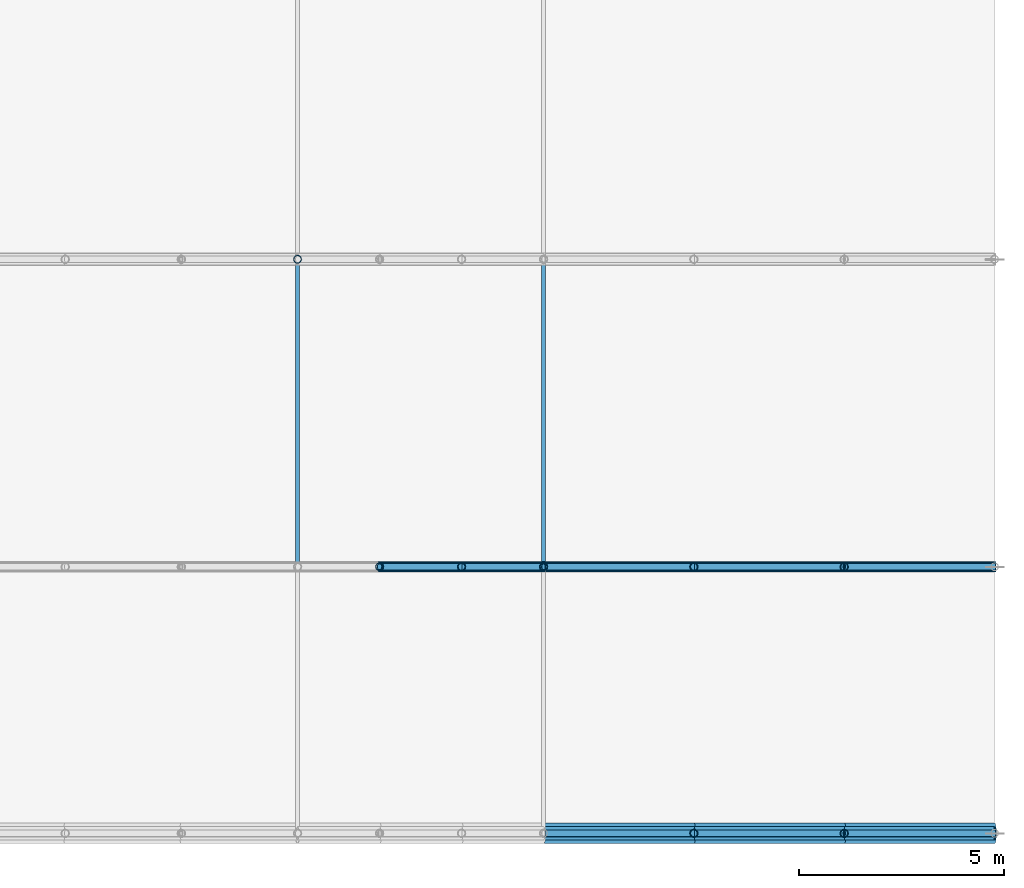
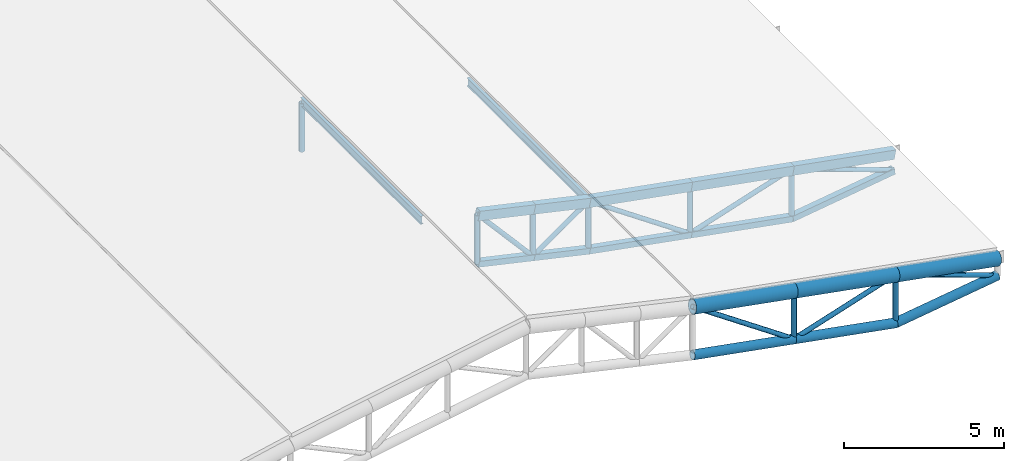
# One storey, part 4 of 28: 26 members, 8 beams.
"""IFC4 building model written with IfcOpenShell, lengths in metres."""

from ifc_helpers import new_model, si_unit, direction, frame, origin, origin_2d, place, context, subcontext, project, spatial, hollow_rectangle, hollow_circle, i_section, extrude, material, material_profile, profile_set, type_object, element, save


model = new_model("IFC4")

# Units and contexts
model_context = context("Model", 3, precision=1e-05, world=origin(), true_north=direction((0.0, 1.0)))
body_context = subcontext(model_context, "Body", "Model", "MODEL_VIEW")
ifc_project = project(units=[si_unit("LENGTHUNIT", "METRE"), si_unit("AREAUNIT", "SQUARE_METRE"), si_unit("VOLUMEUNIT", "CUBIC_METRE"), si_unit("PLANEANGLEUNIT", "RADIAN"), si_unit("MASSUNIT", "GRAM", prefix="KILO"), si_unit("THERMODYNAMICTEMPERATUREUNIT", "KELVIN"), si_unit("POWERUNIT", "WATT")], contexts=[model_context])

# Site, building, storey
site_placement = place(None, origin())
site = spatial("IfcSite", under=ifc_project, at=site_placement, CompositionType="ELEMENT")
building_placement = place(site_placement, origin())
building = spatial("IfcBuilding", under=site, at=building_placement, Name="Tepalcoro Natatorium and Aquatics Centre", CompositionType="ELEMENT")
storey_placement = place(building_placement, frame((0.0, 0.0, 23.199951171875)))
storey = spatial("IfcBuildingStorey", under=building, at=storey_placement, Name="RF", CompositionType="ELEMENT", Elevation=23.199951171875)

# Beams
ifc_material_1 = material(Name="Terracotta Painted Hollow Steel ASTM A500 Grade C (Fy 345 MPa)", Category="masonry")
ifc_material_profile_1 = material_profile(ifc_material_1, hollow_circle(Radius=0.25390625, WallThickness=0.02001953125, at=origin_2d()), Name="CHS508X20")
ifc_profile_set_1 = profile_set([ifc_material_profile_1], Name="Terracotta Painted Hollow Steel ASTM A500 Grade C (Fy 345 MPa)")
beam_type_1 = type_object("IfcBeamType", Name="AC_CHS508x20", PredefinedType="USERDEFINED", material=ifc_profile_set_1)
beam_1_placement = place(storey_placement, frame((165.0, 6.5, -1.70703125), z_axis=(0.983716546565, 0.0, -0.179726892854), x_axis=(0.0, 1.0, 0.0)))
element("IfcBeam", 1, at=beam_1_placement, inside=storey, type_object=beam_type_1, Name="V2 Barrel-Arch Top Chord 1", ObjectType="ARCH CHORD", PredefinedType="USERDEFINED", context=body_context, shape_type="SweptSolid", body=[
    extrude(hollow_circle(Radius=0.25390625, WallThickness=0.02001953125, at=origin_2d()), origin(), (0.0, 0.0, 1.0), 3.7275390625),
])
beam_2_placement = place(storey_placement, frame((168.666748046875, 6.5, -2.376953125), z_axis=(0.983714430655, 0.0, -0.179738473679), x_axis=(0.0, 1.0, 0.0)))
element("IfcBeam", 2, at=beam_2_placement, inside=storey, type_object=beam_type_1, Name="V2 Barrel-Arch Top Chord 1", ObjectType="ARCH CHORD", PredefinedType="USERDEFINED", context=body_context, shape_type="SweptSolid", body=[
    extrude(hollow_circle(Radius=0.25390625, WallThickness=0.02001953125, at=origin_2d()), origin(), (0.0, 0.0, 1.0), 3.727294921875),
])
beam_3_placement = place(storey_placement, frame((172.333251953125, 6.5, -3.046875), z_axis=(0.983704964567, 0.0, -0.179790274169), x_axis=(0.0, 1.0, 0.0)))
element("IfcBeam", 3, at=beam_3_placement, inside=storey, type_object=beam_type_1, Name="V2 Barrel-Arch Top Chord 1", ObjectType="ARCH CHORD", PredefinedType="USERDEFINED", context=body_context, shape_type="SweptSolid", body=[
    extrude(hollow_circle(Radius=0.25390625, WallThickness=0.02001953125, at=origin_2d()), origin(), (0.0, 0.0, 1.0), 3.7275390625),
])
ifc_material_profile_2 = material_profile(ifc_material_1, hollow_rectangle(XDim=0.25, YDim=0.35009765625, WallThickness=0.01611328125, at=origin_2d()), Name="HSS350X250X16")
ifc_profile_set_2 = profile_set([ifc_material_profile_2], Name="Terracotta Painted Hollow Steel ASTM A500 Grade C (Fy 345 MPa)")
beam_type_2 = type_object("IfcBeamType", Name="AC_HSS350x250x16", PredefinedType="USERDEFINED", material=ifc_profile_set_2)
for number, where, z_axis, x_axis, name in (
    (4, (161.0, 13.0, -0.72802734375), (0.97561485681, 0.0, -0.21948952406), (0.0, 1.0, 0.0), "V2 Barrel-Arch Top Chord 2"),
    (5, (163.0, 13.0, -1.177978515625), (0.97561485681, 0.0, -0.21948952406), (0.0, 1.0, 0.0), "V2 Barrel-Arch Top Chord 2"),
):
    element("IfcBeam", number, at=place(storey_placement, frame(where, z_axis=z_axis, x_axis=x_axis)), inside=storey, type_object=beam_type_2, Name=name, ObjectType="ARCH CHORD", PredefinedType="USERDEFINED", context=body_context, shape_type="SweptSolid", body=[
        extrude(hollow_rectangle(XDim=0.25, YDim=0.35009765625, WallThickness=0.01611328125, at=origin_2d()), origin(), (0.0, 0.0, 1.0), 2.050048828125),
    ])
beam_4_placement = place(storey_placement, frame((165.0, 13.0, -1.6279296875), z_axis=(0.983716546565, 0.0, -0.179726892854), x_axis=(0.0, 1.0, 0.0)))
element("IfcBeam", 6, at=beam_4_placement, inside=storey, type_object=beam_type_2, Name="V2 Barrel-Arch Top Chord 2", ObjectType="ARCH CHORD", PredefinedType="USERDEFINED", context=body_context, shape_type="SweptSolid", body=[
    extrude(hollow_rectangle(XDim=0.25, YDim=0.35009765625, WallThickness=0.01611328125, at=origin_2d()), origin(), (0.0, 0.0, 1.0), 3.7275390625),
])
beam_5_placement = place(storey_placement, frame((168.666748046875, 13.0, -2.2978515625), z_axis=(0.98370284719, 0.0, -0.179801858805), x_axis=(0.0, 1.0, 0.0)))
element("IfcBeam", 7, at=beam_5_placement, inside=storey, type_object=beam_type_2, Name="V2 Barrel-Arch Top Chord 2", ObjectType="ARCH CHORD", PredefinedType="USERDEFINED", context=body_context, shape_type="SweptSolid", body=[
    extrude(hollow_rectangle(XDim=0.25, YDim=0.35009765625, WallThickness=0.01611328125, at=origin_2d()), origin(), (0.0, 0.0, 1.0), 3.727294921875),
])
beam_6_placement = place(storey_placement, frame((172.333251953125, 13.0, -2.968017578125), z_axis=(0.983716546565, 0.0, -0.179726892854), x_axis=(0.0, 1.0, 0.0)))
element("IfcBeam", 8, at=beam_6_placement, inside=storey, type_object=beam_type_2, Name="V2 Barrel-Arch Top Chord 2", ObjectType="ARCH CHORD", PredefinedType="USERDEFINED", context=body_context, shape_type="SweptSolid", body=[
    extrude(hollow_rectangle(XDim=0.25, YDim=0.35009765625, WallThickness=0.01611328125, at=origin_2d()), origin(), (0.0, 0.0, 1.0), 3.7275390625),
])

# Members
ifc_material_profile_3 = material_profile(ifc_material_1, hollow_circle(Radius=0.162109375, WallThickness=0.013916015625, at=origin_2d()), Name="CHS324X14")
ifc_profile_set_3 = profile_set([ifc_material_profile_3], Name="Terracotta Painted Hollow Steel ASTM A500 Grade C (Fy 345 MPa)")
member_type_1 = type_object("IfcMemberType", Name="MB_CH_CHS324x14", PredefinedType="CHORD", material=ifc_profile_set_3)
member_1_placement = place(storey_placement, frame((165.0, 6.5, -3.556884765625), z_axis=(0.983704964567, 0.0, -0.179790274169), x_axis=(0.0, 1.0, 0.0)))
element("IfcMember", 9, at=member_1_placement, inside=storey, type_object=member_type_1, Name="V2 Barrel-Arch Bottom Chord 1", PredefinedType="CHORD", context=body_context, shape_type="SweptSolid", body=[
    extrude(hollow_circle(Radius=0.162109375, WallThickness=0.013916015625, at=origin_2d()), origin(), (0.0, 0.0, 1.0), 3.7275390625),
])
member_2_placement = place(storey_placement, frame((168.666748046875, 6.5, -4.22705078125), z_axis=(0.983714430655, 0.0, -0.179738473679), x_axis=(0.0, 1.0, 0.0)))
element("IfcMember", 10, at=member_2_placement, inside=storey, type_object=member_type_1, Name="V2 Barrel-Arch Bottom Chord 1", PredefinedType="CHORD", context=body_context, shape_type="SweptSolid", body=[
    extrude(hollow_circle(Radius=0.162109375, WallThickness=0.013916015625, at=origin_2d()), origin(), (0.0, 0.0, 1.0), 3.727294921875),
])
member_3_placement = place(storey_placement, frame((172.333251953125, 6.5, -4.89697265625), z_axis=(0.98971353676, 0.0, 0.143063325675), x_axis=(0.0, 1.0, 0.0)))
element("IfcMember", 11, at=member_3_placement, inside=storey, type_object=member_type_1, Name="V2 Barrel-Arch Bottom Chord 1", PredefinedType="CHORD", context=body_context, shape_type="SweptSolid", body=[
    extrude(hollow_circle(Radius=0.162109375, WallThickness=0.013916015625, at=origin_2d()), origin(), (0.0, 0.0, 1.0), 3.704833984375),
])
ifc_material_profile_4 = material_profile(ifc_material_1, hollow_rectangle(XDim=0.219970703125, YDim=0.219970703125, WallThickness=0.011962890625, at=origin_2d()), Name="HSS220X220X12")
ifc_profile_set_4 = profile_set([ifc_material_profile_4], Name="Terracotta Painted Hollow Steel ASTM A500 Grade C (Fy 345 MPa)")
member_type_2 = type_object("IfcMemberType", Name="MB_CH_HSS220x220x12", PredefinedType="CHORD", material=ifc_profile_set_4)
for number, where, z_axis, x_axis, name in (
    (12, (161.0, 13.0, -2.577880859375), (0.97561485681, 0.0, -0.21948952406), (0.0, 1.0, 0.0), "V2 Barrel-Arch Bottom Chord 2"),
    (13, (163.0, 13.0, -3.02783203125), (0.975589348514, 0.0, -0.219602875813), (0.0, 1.0, 0.0), "V2 Barrel-Arch Bottom Chord 2"),
):
    element("IfcMember", number, at=place(storey_placement, frame(where, z_axis=z_axis, x_axis=x_axis)), inside=storey, type_object=member_type_2, Name=name, PredefinedType="CHORD", context=body_context, shape_type="SweptSolid", body=[
        extrude(hollow_rectangle(XDim=0.219970703125, YDim=0.219970703125, WallThickness=0.011962890625, at=origin_2d()), origin(), (0.0, 0.0, 1.0), 2.050048828125),
    ])
member_4_placement = place(storey_placement, frame((165.0, 13.0, -3.47802734375), z_axis=(0.983716546565, 0.0, -0.179726892854), x_axis=(0.0, 1.0, 0.0)))
element("IfcMember", 14, at=member_4_placement, inside=storey, type_object=member_type_2, Name="V2 Barrel-Arch Bottom Chord 2", PredefinedType="CHORD", context=body_context, shape_type="SweptSolid", body=[
    extrude(hollow_rectangle(XDim=0.219970703125, YDim=0.219970703125, WallThickness=0.011962890625, at=origin_2d()), origin(), (0.0, 0.0, 1.0), 3.7275390625),
])
member_5_placement = place(storey_placement, frame((168.666748046875, 13.0, -4.14794921875), z_axis=(0.983714430655, 0.0, -0.179738473679), x_axis=(0.0, 1.0, 0.0)))
element("IfcMember", 15, at=member_5_placement, inside=storey, type_object=member_type_2, Name="V2 Barrel-Arch Bottom Chord 2", PredefinedType="CHORD", context=body_context, shape_type="SweptSolid", body=[
    extrude(hollow_rectangle(XDim=0.219970703125, YDim=0.219970703125, WallThickness=0.011962890625, at=origin_2d()), origin(), (0.0, 0.0, 1.0), 3.727294921875),
])
member_6_placement = place(storey_placement, frame((172.333251953125, 13.0, -4.81787109375), z_axis=(0.98971353676, 0.0, 0.143063325675), x_axis=(0.0, 1.0, 0.0)))
element("IfcMember", 16, at=member_6_placement, inside=storey, type_object=member_type_2, Name="V2 Barrel-Arch Bottom Chord 2", PredefinedType="CHORD", context=body_context, shape_type="SweptSolid", body=[
    extrude(hollow_rectangle(XDim=0.219970703125, YDim=0.219970703125, WallThickness=0.011962890625, at=origin_2d()), origin(), (0.0, 0.0, 1.0), 3.704833984375),
])
ifc_material_2 = material(Name="Steel ASTM A992 Grade 50 (Fy 345 MPa)", Category="steel")
ifc_material_profile_5 = material_profile(ifc_material_2, i_section(OverallWidth=0.10205078125, OverallDepth=0.31201171875, WebThickness=0.007080078125, FlangeThickness=0.010986328125, FilletRadius=0.013916015625, at=origin_2d()), Name="W12X22")
ifc_profile_set_5 = profile_set([ifc_material_profile_5], Name="Steel ASTM A992 Grade 50 (Fy 345 MPa)")
member_type_3 = type_object("IfcMemberType", Name="MB_PR_W12x22", PredefinedType="PURLIN", material=ifc_profile_set_5)
for number, where, z_axis, x_axis, name in (
    (17, (159.0, 13.0, -0.259033203125), (0.0, 1.0, 0.0), (-1.0, 0.0, 0.0), "V2 Barrel-Arch Roof Purlin"),
    (18, (165.0, 13.0, -1.60888671875), (0.0, 1.0, 0.0), (-1.0, 0.0, 0.0), "V2 Barrel-Arch Roof Purlin"),
):
    element("IfcMember", number, at=place(storey_placement, frame(where, z_axis=z_axis, x_axis=x_axis)), inside=storey, type_object=member_type_3, Name=name, PredefinedType="PURLIN", context=body_context, shape_type="SweptSolid", body=[
        extrude(i_section(OverallWidth=0.10205078125, OverallDepth=0.31201171875, WebThickness=0.007080078125, FlangeThickness=0.010986328125, FilletRadius=0.013916015625, at=origin_2d()), origin(), (0.0, 0.0, 1.0), 7.5),
    ])
ifc_material_profile_6 = material_profile(ifc_material_1, hollow_circle(Radius=0.096923828125, WallThickness=0.010009765625, at=origin_2d()), Name="CHS194X10")
ifc_profile_set_6 = profile_set([ifc_material_profile_6], Name="Terracotta Painted Hollow Steel ASTM A500 Grade C (Fy 345 MPa)")
member_type_4 = type_object("IfcMemberType", Name="MB_PS_CHS194x10", PredefinedType="POST", material=ifc_profile_set_6)
for number, where, z_axis, x_axis, name in (
    (19, (168.666748046875, 6.5, -4.22705078125), (0.0, 0.0, 1.0), (1.0, 0.0, 0.0), "V2 Barrel-Arch Post 1"),
    (20, (172.333251953125, 6.5, -4.89697265625), (0.0, 0.0, 1.0), (1.0, 0.0, 0.0), "V2 Barrel-Arch Post 1"),
):
    element("IfcMember", number, at=place(storey_placement, frame(where, z_axis=z_axis, x_axis=x_axis)), inside=storey, type_object=member_type_4, Name=name, PredefinedType="POST", context=body_context, shape_type="SweptSolid", body=[
        extrude(hollow_circle(Radius=0.096923828125, WallThickness=0.010009765625, at=origin_2d()), origin(), (0.0, 0.0, 1.0), 1.85009765625),
    ])
for number, where, z_axis, x_axis, name in (
    (21, (161.0, 13.0, -2.577880859375), (0.0, 0.0, 1.0), (1.0, 0.0, 0.0), "V2 Barrel-Arch Post 2"),
    (22, (163.0, 13.0, -3.02783203125), (0.0, 0.0, 1.0), (1.0, 0.0, 0.0), "V2 Barrel-Arch Post 2"),
):
    element("IfcMember", number, at=place(storey_placement, frame(where, z_axis=z_axis, x_axis=x_axis)), inside=storey, type_object=member_type_4, Name=name, PredefinedType="POST", context=body_context, shape_type="SweptSolid", body=[
        extrude(hollow_circle(Radius=0.096923828125, WallThickness=0.010009765625, at=origin_2d()), origin(), (0.0, 0.0, 1.0), 1.849853515625),
    ])
for number, where, z_axis, x_axis, name in (
    (23, (165.0, 13.0, -3.47802734375), (0.0, 0.0, 1.0), (1.0, 0.0, 0.0), "V2 Barrel-Arch Post 2"),
    (24, (168.666748046875, 13.0, -4.14794921875), (0.0, 0.0, 1.0), (1.0, 0.0, 0.0), "V2 Barrel-Arch Post 2"),
):
    element("IfcMember", number, at=place(storey_placement, frame(where, z_axis=z_axis, x_axis=x_axis)), inside=storey, type_object=member_type_4, Name=name, PredefinedType="POST", context=body_context, shape_type="SweptSolid", body=[
        extrude(hollow_circle(Radius=0.096923828125, WallThickness=0.010009765625, at=origin_2d()), origin(), (0.0, 0.0, 1.0), 1.85009765625),
    ])
for number, where, z_axis, x_axis, name in (
    (25, (172.333251953125, 13.0, -4.81787109375), (0.0, 0.0, 1.0), (1.0, 0.0, 0.0), "V2 Barrel-Arch Post 2"),
    (26, (159.0, 20.5, -2.15283203125), (0.0, 0.0, 1.0), (1.0, 0.0, 0.0), "V2 Barrel-Arch Post 3"),
):
    element("IfcMember", number, at=place(storey_placement, frame(where, z_axis=z_axis, x_axis=x_axis)), inside=storey, type_object=member_type_4, Name=name, PredefinedType="POST", context=body_context, shape_type="SweptSolid", body=[
        extrude(hollow_circle(Radius=0.096923828125, WallThickness=0.010009765625, at=origin_2d()), origin(), (0.0, 0.0, 1.0), 1.849853515625),
    ])
ifc_material_profile_7 = material_profile(ifc_material_1, hollow_circle(Radius=0.083984375, WallThickness=0.011962890625, at=origin_2d()), Name="CHS168X12")
ifc_profile_set_7 = profile_set([ifc_material_profile_7], Name="Terracotta Painted Hollow Steel ASTM A500 Grade C (Fy 345 MPa)")
member_type_5 = type_object("IfcMemberType", Name="MB_ST_CHS168x12", PredefinedType="STRUT", material=ifc_profile_set_7)
member_7_placement = place(storey_placement, frame((165.0, 6.5, -1.70703125), z_axis=(0.82413317395, 0.0, -0.566396073075), x_axis=(0.0, 1.0, 0.0)))
element("IfcMember", 27, at=member_7_placement, inside=storey, type_object=member_type_5, Name="V2 Barrel-Arch Web Diagonal 1", PredefinedType="STRUT", context=body_context, shape_type="SweptSolid", body=[
    extrude(hollow_circle(Radius=0.083984375, WallThickness=0.011962890625, at=origin_2d()), origin(), (0.0, 0.0, 1.0), 4.44921875),
])
member_8_placement = place(storey_placement, frame((168.666748046875, 6.5, -4.22705078125), z_axis=(0.9519031787, 0.0, 0.306398985606), x_axis=(0.0, 1.0, 0.0)))
element("IfcMember", 28, at=member_8_placement, inside=storey, type_object=member_type_5, Name="V2 Barrel-Arch Web Diagonal 1", PredefinedType="STRUT", context=body_context, shape_type="SweptSolid", body=[
    extrude(hollow_circle(Radius=0.083984375, WallThickness=0.011962890625, at=origin_2d()), origin(), (0.0, 0.0, 1.0), 3.851806640625),
])
member_9_placement = place(storey_placement, frame((172.333251953125, 6.5, -3.046875), z_axis=(0.9408842174, 0.0, -0.338728341666), x_axis=(0.0, 1.0, 0.0)))
element("IfcMember", 29, at=member_9_placement, inside=storey, type_object=member_type_5, Name="V2 Barrel-Arch Web Diagonal 1", PredefinedType="STRUT", context=body_context, shape_type="SweptSolid", body=[
    extrude(hollow_circle(Radius=0.083984375, WallThickness=0.011962890625, at=origin_2d()), origin(), (0.0, 0.0, 1.0), 3.897216796875),
])
member_10_placement = place(storey_placement, frame((161.0, 13.0, -0.72802734375), z_axis=(0.656210445457, 0.0, -0.754577929225), x_axis=(0.0, 1.0, 0.0)))
element("IfcMember", 30, at=member_10_placement, inside=storey, type_object=member_type_5, Name="V2 Barrel-Arch Web Diagonal 2", PredefinedType="STRUT", context=body_context, shape_type="SweptSolid", body=[
    extrude(hollow_circle(Radius=0.083984375, WallThickness=0.011962890625, at=origin_2d()), origin(), (0.0, 0.0, 1.0), 3.0478515625),
])
member_11_placement = place(storey_placement, frame((163.0, 13.0, -3.02783203125), z_axis=(0.819250713189, 0.0, 0.573435496756), x_axis=(0.0, 1.0, 0.0)))
element("IfcMember", 31, at=member_11_placement, inside=storey, type_object=member_type_5, Name="V2 Barrel-Arch Web Diagonal 2", PredefinedType="STRUT", context=body_context, shape_type="SweptSolid", body=[
    extrude(hollow_circle(Radius=0.083984375, WallThickness=0.011962890625, at=origin_2d()), origin(), (0.0, 0.0, 1.0), 2.441162109375),
])
member_12_placement = place(storey_placement, frame((165.0, 13.0, -1.6279296875), z_axis=(0.82413317395, 0.0, -0.566396073075), x_axis=(0.0, 1.0, 0.0)))
element("IfcMember", 32, at=member_12_placement, inside=storey, type_object=member_type_5, Name="V2 Barrel-Arch Web Diagonal 2", PredefinedType="STRUT", context=body_context, shape_type="SweptSolid", body=[
    extrude(hollow_circle(Radius=0.083984375, WallThickness=0.011962890625, at=origin_2d()), origin(), (0.0, 0.0, 1.0), 4.44921875),
])
member_13_placement = place(storey_placement, frame((168.666748046875, 13.0, -4.14794921875), z_axis=(0.951921664085, 0.0, 0.306341550308), x_axis=(0.0, 1.0, 0.0)))
element("IfcMember", 33, at=member_13_placement, inside=storey, type_object=member_type_5, Name="V2 Barrel-Arch Web Diagonal 2", PredefinedType="STRUT", context=body_context, shape_type="SweptSolid", body=[
    extrude(hollow_circle(Radius=0.083984375, WallThickness=0.011962890625, at=origin_2d()), origin(), (0.0, 0.0, 1.0), 3.851806640625),
])
member_14_placement = place(storey_placement, frame((172.333251953125, 13.0, -2.968017578125), z_axis=(0.940904181813, 0.0, -0.338672881476), x_axis=(0.0, 1.0, 0.0)))
element("IfcMember", 34, at=member_14_placement, inside=storey, type_object=member_type_5, Name="V2 Barrel-Arch Web Diagonal 2", PredefinedType="STRUT", context=body_context, shape_type="SweptSolid", body=[
    extrude(hollow_circle(Radius=0.083984375, WallThickness=0.011962890625, at=origin_2d()), origin(), (0.0, 0.0, 1.0), 3.89697265625),
])

save(model, "model.ifc")
